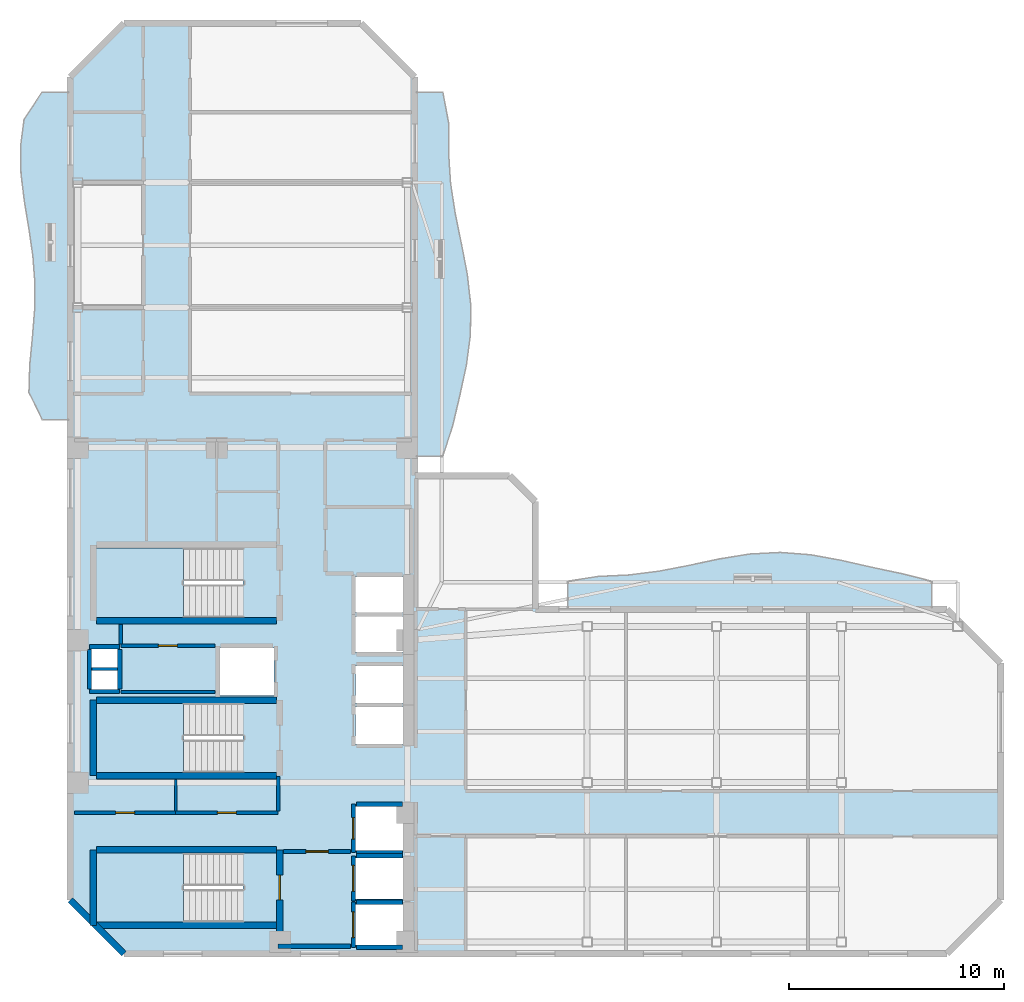
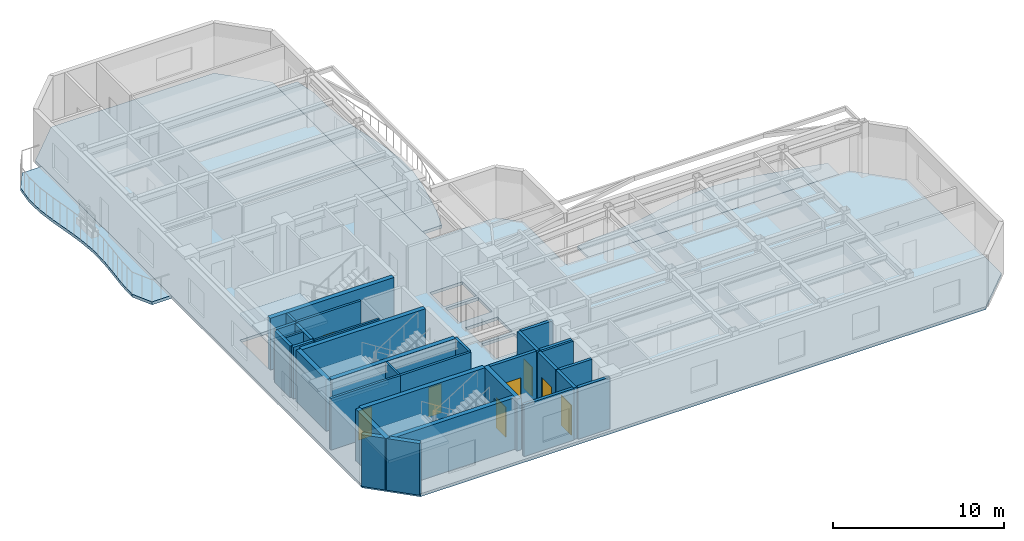
# One storey, part 2 of 9: 31 walls, 8 doors, 7 slabs, 8 openings, 3 elements without a shape of their own.
"""IFC4 building model written with IfcOpenShell, lengths in metres."""

import ifcopenshell
import ifcopenshell.guid

model = None  # the IFC model being written
_history = None  # IfcOwnerHistory: only IFC2X3 demands one
_inside = {}  # id of a spatial element -> (the spatial element, [elements in it])
_under = {}  # id of a project, library or spatial element -> (it, [spatial elements below it])
_declared = {}  # id of a project -> (the project, [libraries it declares])
_typed = {}  # id of a type object -> (the type object, [elements of that type])
_made_of = {}  # id of a material, layer set ... -> (it, [elements and type objects made of it])


def new_model(schema):
    """Start an empty IFC model of exactly this schema.

    Asked for "IFC4X3", IfcOpenShell would pick the latest addendum, in which some entities
    have other attributes; the version numbers below select the first issue.
    IFC2X3 requires an IfcOwnerHistory on every rooted entity: one is made here for all.
    """
    global model, _history
    if schema == "IFC4X3":
        model = ifcopenshell.file(schema_version=(4, 3, 0, 0))
    else:
        model = ifcopenshell.file(schema=schema)
    _inside.clear()
    _under.clear()
    _declared.clear()
    _typed.clear()
    _made_of.clear()
    _history = None
    if model.schema == "IFC2X3":
        org = make("IfcOrganization", Name="unknown")
        user = make(
            "IfcPersonAndOrganization",
            ThePerson=make("IfcPerson", FamilyName="unknown"),
            TheOrganization=org,
        )
        app = make(
            "IfcApplication",
            ApplicationDeveloper=org,
            Version="unknown",
            ApplicationFullName="unknown",
            ApplicationIdentifier="unknown",
        )
        _history = make(
            "IfcOwnerHistory",
            OwningUser=user,
            OwningApplication=app,
            ChangeAction="ADDED",
            CreationDate=0,
        )
    return model


def make(cls, **values):
    """One entity of the class cls with the attributes given. An attribute that is None is left unset."""
    return model.create_entity(
        cls, **{name: value for name, value in values.items() if value is not None}
    )


def rooted(cls, **values):
    """An entity with a GlobalId (a new one), such as an element, a storey or a relation."""
    return make(cls, GlobalId=ifcopenshell.guid.new(), OwnerHistory=_history, **values)


def si_unit(unit_type, name, prefix=None):
    """IfcSIUnit, for example si_unit("LENGTHUNIT", "METRE", prefix="MILLI")."""
    return make("IfcSIUnit", UnitType=unit_type, Prefix=prefix, Name=name)


def assignment(units):
    """IfcUnitAssignment: the units of a project."""
    return None if units is None else make("IfcUnitAssignment", Units=units)


def point(xyz):
    """IfcCartesianPoint."""
    return None if xyz is None else make("IfcCartesianPoint", Coordinates=xyz)


def direction(xyz):
    """IfcDirection."""
    return None if xyz is None else make("IfcDirection", DirectionRatios=xyz)


def frame(location, z_axis=None, x_axis=None):
    """IfcAxis2Placement3D, a coordinate frame: its origin and axes. An axis left out is left unset."""
    return make(
        "IfcAxis2Placement3D",
        Location=point(location),
        Axis=direction(z_axis),
        RefDirection=direction(x_axis),
    )


def frame_2d(location, x_axis=None):
    """IfcAxis2Placement2D, a coordinate frame in the plane: its origin and x axis."""
    return make(
        "IfcAxis2Placement2D", Location=point(location), RefDirection=direction(x_axis)
    )


def origin():
    """The frame at (0, 0, 0) with its axes left unset."""
    return frame((0.0, 0.0, 0.0))


def place(relative_to, where):
    """IfcLocalPlacement: puts the frame where relative to a parent placement (None: the world)."""
    return make(
        "IfcLocalPlacement", PlacementRelTo=relative_to, RelativePlacement=where
    )


def context(
    kind, dimensions, precision=None, world=None, true_north=None, identifier=None
):
    """IfcGeometricRepresentationContext, for example the 3D "Model" context."""
    return make(
        "IfcGeometricRepresentationContext",
        ContextIdentifier=identifier,
        ContextType=kind,
        CoordinateSpaceDimension=dimensions,
        Precision=precision,
        WorldCoordinateSystem=world,
        TrueNorth=true_north,
    )


def subcontext(parent, identifier, kind, view, scale=None):
    """IfcGeometricRepresentationSubContext, for example "Body" below "Model"."""
    return make(
        "IfcGeometricRepresentationSubContext",
        ContextIdentifier=identifier,
        ContextType=kind,
        ParentContext=parent,
        TargetScale=scale,
        TargetView=view,
    )


def project(units=None, contexts=None):
    """IfcProject with its units and contexts."""
    return rooted(
        "IfcProject",
        Name="project",
        RepresentationContexts=contexts,
        UnitsInContext=assignment(units),
    )


def spatial(cls, under=None, at=None, **own):
    """A site, building, storey or space (cls), placed at a placement, below another one or the project."""
    s = rooted(cls, ObjectPlacement=at, **own)
    if under is not None:
        _under.setdefault(under.id(), (under, []))[1].append(s)
    return s


def polyline(points):
    """IfcPolyline through the points."""
    return make("IfcPolyline", Points=[point(p) for p in points])


def profile(cls, at=None, kind="AREA", **sizes):
    """A parametric profile (cls). Its sizes go by their IFC names, for example OverallWidth=200.0."""
    return make(cls, ProfileType=kind, Position=at, **sizes)


def rectangle(**sizes):
    """IfcRectangleProfileDef."""
    return profile("IfcRectangleProfileDef", **sizes)


def outline(outer, holes=None, kind="AREA"):
    """IfcArbitraryClosedProfileDef: a profile drawn as a closed curve; with holes, ...WithVoids."""
    if holes is None:
        return make("IfcArbitraryClosedProfileDef", ProfileType=kind, OuterCurve=outer)
    return make(
        "IfcArbitraryProfileDefWithVoids",
        ProfileType=kind,
        OuterCurve=outer,
        InnerCurves=holes,
    )


def extrude(swept, where, along, depth):
    """IfcExtrudedAreaSolid: the profile swept, set in the frame where, extruded along a direction by depth."""
    return make(
        "IfcExtrudedAreaSolid",
        SweptArea=swept,
        Position=where,
        ExtrudedDirection=direction(along),
        Depth=depth,
    )


def shape(context_of_items, identifier, shape_type, items):
    """IfcShapeRepresentation: the items that make up one representation, for example the "Body"."""
    return make(
        "IfcShapeRepresentation",
        ContextOfItems=context_of_items,
        RepresentationIdentifier=identifier,
        RepresentationType=shape_type,
        Items=items,
    )


def material(Name=None, Category=None):
    """IfcMaterial."""
    return make("IfcMaterial", Name=Name, Category=Category)


def layer(
    of_material, thickness, ventilated=None, Name=None, Category=None, Priority=None
):
    """IfcMaterialLayer: one layer of a wall or slab, of a material (None: an air gap)."""
    return make(
        "IfcMaterialLayer",
        Material=of_material,
        LayerThickness=thickness,
        IsVentilated=ventilated,
        Name=Name,
        Category=Category,
        Priority=Priority,
    )


def layer_set(layers, Name=None):
    """IfcMaterialLayerSet."""
    return make("IfcMaterialLayerSet", MaterialLayers=layers, LayerSetName=Name)


def made_of(thing, what):
    """Note that an element or type object is made of a material, layer set ...; save() writes the relation."""
    if what is not None:
        _made_of.setdefault(what.id(), (what, []))[1].append(thing)
    return thing


def type_object(cls, material=None, **own):
    """A type object (cls), such as IfcWallType, which elements share."""
    return made_of(rooted(cls, **own), material)


def element(
    cls,
    number,
    at=None,
    inside=None,
    cuts=None,
    type_object=None,
    material=None,
    context=None,
    identifier="Body",
    shape_type=None,
    held_by="IfcProductDefinitionShape",
    body=None,
    shapes=None,
    **own,
):
    """One element of the class cls, such as IfcWall. Its Tag is "e" and its number.

    at: its placement. inside: the storey or other place that contains it. cuts: it is an
    opening in that element (IfcRelVoidsElement). A single representation is given by context,
    identifier, shape_type and body (its items); several are given by shapes. held_by: the class
    of the entity that holds the representations. save() writes the other relations.
    """
    e = rooted(cls, Tag="e%d" % number, ObjectPlacement=at, **own)
    if body is not None:
        shapes = [shape(context, identifier, shape_type, body)]
    if shapes is not None:
        e.Representation = make(held_by, Representations=shapes)
    if inside is not None:
        _inside.setdefault(inside.id(), (inside, []))[1].append(e)
    if cuts is not None:
        rooted(
            "IfcRelVoidsElement", RelatingBuildingElement=cuts, RelatedOpeningElement=e
        )
    if type_object is not None:
        _typed.setdefault(type_object.id(), (type_object, []))[1].append(e)
    return made_of(e, material)


def fill(opening, filler):
    """IfcRelFillsElement: the door or window that sits in an opening."""
    return rooted(
        "IfcRelFillsElement",
        RelatingOpeningElement=opening,
        RelatedBuildingElement=filler,
    )


def aggregate(whole, parts):
    """IfcRelAggregates: a whole, such as a stair, and the parts it consists of."""
    return rooted("IfcRelAggregates", RelatingObject=whole, RelatedObjects=parts)


def save(model, path):
    """Write the relations noted so far, then the file.

    IfcRelAggregates (storeys below a building ...), IfcRelContainedInSpatialStructure (elements
    in a storey), IfcRelDefinesByType, IfcRelAssociatesMaterial and IfcRelDeclares: one each for
    every whole, place, type object, material and project.
    """
    for whole, parts in _under.values():
        aggregate(whole, parts)
    for where, things in _inside.values():
        rooted(
            "IfcRelContainedInSpatialStructure",
            RelatedElements=things,
            RelatingStructure=where,
        )
    for kind, things in _typed.values():
        rooted("IfcRelDefinesByType", RelatedObjects=things, RelatingType=kind)
    for what, things in _made_of.values():
        rooted("IfcRelAssociatesMaterial", RelatedObjects=things, RelatingMaterial=what)
    for by, libraries in _declared.values():
        rooted("IfcRelDeclares", RelatingContext=by, RelatedDefinitions=libraries)
    model.write(path)


model = new_model("IFC4")

# Units and contexts
model_context = context("Model", 3, precision=1e-05, world=origin(), true_north=direction((0.0, 1.0)))
body_context = subcontext(model_context, "Body", "Model", "MODEL_VIEW")
ifc_project = project(units=[si_unit("LENGTHUNIT", "METRE"), si_unit("AREAUNIT", "SQUARE_METRE"), si_unit("VOLUMEUNIT", "CUBIC_METRE"), si_unit("PLANEANGLEUNIT", "RADIAN"), si_unit("MASSUNIT", "GRAM", prefix="KILO")], contexts=[model_context])

# Site, building, storey
site_placement = place(None, origin())
site = spatial("IfcSite", under=ifc_project, at=site_placement, CompositionType="ELEMENT")
building_placement = place(site_placement, origin())
building = spatial("IfcBuilding", under=site, at=building_placement, Name="Mawjaban Terraces University", CompositionType="ELEMENT")
storey_placement = place(building_placement, frame((0.0, 0.0, 222.60009765625)))
storey = spatial("IfcBuildingStorey", under=building, at=storey_placement, Name="L54", CompositionType="ELEMENT", Elevation=222.60009765625)

# Slabs
ifc_material_1 = material(Name="Concrete C40/50", Category="concrete")
ifc_layer_1 = layer(ifc_material_1, 0.2099609375)
ifc_layer_set_1 = layer_set([ifc_layer_1], Name="Concrete C40/50")
slab_type_1 = type_object("IfcSlabType", Name="BalconySlab_210_Ext", PredefinedType="FLOOR", material=ifc_layer_set_1)
slab_1_placement = place(storey_placement, frame((0.0, 0.0, -0.210205078125)))
element("IfcSlab", 1, at=slab_1_placement, inside=storey, type_object=slab_type_1, Name="L54 Planted Balcony Slab west", PredefinedType="FLOOR", context=body_context, shape_type="SweptSolid", body=[
    extrude(outline(polyline([(22.010009765625, 24.800048828125), (22.010009765625, 40.0), (20.699951171875, 40.0), (19.85888671875, 38.73291015625), (19.694091796875, 37.467041015625), (19.718017578125, 36.199951171875), (19.8720703125, 34.93310546875), (20.08203125, 33.6669921875), (20.26611328125, 32.39990234375), (20.362060546875, 31.133056640625), (20.346923828125, 29.866943359375), (20.243896484375, 28.60009765625), (20.12109375, 27.3330078125), (20.0849609375, 26.06689453125), (20.699951171875, 24.800048828125), (22.010009765625, 24.800048828125)])), origin(), (0.0, 0.0, 1.0), 0.210205078125),
])
slab_2_placement = place(storey_placement, frame((0.0, 0.0, -0.210205078125)))
element("IfcSlab", 2, at=slab_2_placement, inside=storey, type_object=slab_type_1, Name="L54 Planted Balcony Slab inner_north", PredefinedType="FLOOR", context=body_context, shape_type="SweptSolid", body=[
    extrude(outline(polyline([(45.10009765625, 15.989990234375), (62.0, 15.989990234375), (62.0, 17.300048828125), (60.592041015625, 17.65087890625), (59.18310546875, 17.948974609375), (57.77490234375, 18.27001953125), (56.366943359375, 18.52490234375), (54.9580078125, 18.633056640625), (53.550048828125, 18.55908203125), (52.14208984375, 18.3330078125), (50.73291015625, 18.032958984375), (49.324951171875, 17.760009765625), (47.9169921875, 17.5849609375), (46.508056640625, 17.51904296875), (45.10009765625, 17.300048828125), (45.10009765625, 15.989990234375)])), origin(), (0.0, 0.0, 1.0), 0.210205078125),
])
slab_3_placement = place(storey_placement, frame((0.0, 0.0, -0.210205078125)))
element("IfcSlab", 3, at=slab_3_placement, inside=storey, type_object=slab_type_1, Name="L54 Planted Balcony Slab inner_east", PredefinedType="FLOOR", context=body_context, shape_type="SweptSolid", body=[
    extrude(outline(polyline([(39.300048828125, 23.10009765625), (39.7529296875, 24.508056640625), (40.0869140625, 25.9169921875), (40.39111328125, 27.324951171875), (40.5791015625, 28.73291015625), (40.592041015625, 30.14208984375), (40.43310546875, 31.550048828125), (40.160888671875, 32.9580078125), (39.873046875, 34.366943359375), (39.657958984375, 35.77490234375), (39.56494140625, 37.18310546875), (39.56298828125, 38.592041015625), (39.300048828125, 40.0), (37.989990234375, 40.0), (37.989990234375, 23.10009765625), (39.300048828125, 23.10009765625)])), origin(), (0.0, 0.0, 1.0), 0.210205078125),
])
ifc_layer_2 = layer(ifc_material_1, 0.2099609375)
ifc_layer_set_2 = layer_set([ifc_layer_2], Name="Concrete C40/50")
slab_type_2 = type_object("IfcSlabType", Name="CompositeSlab_210", PredefinedType="FLOOR", material=ifc_layer_set_2)
slab_4_placement = place(storey_placement, frame((0.0, 0.0, -0.210205078125)))
element("IfcSlab", 4, at=slab_4_placement, inside=storey, type_object=slab_type_2, Name="L54 Primary Structural Slab", PredefinedType="FLOOR", context=body_context, shape_type="SweptSolid", body=[
    extrude(outline(polyline([(24.5, 0.0), (62.699951171875, 0.0), (65.199951171875, 2.5), (65.199951171875, 13.5), (62.699951171875, 16.0), (43.60009765625, 16.0), (43.60009765625, 21.0), (42.39990234375, 22.199951171875), (38.0, 22.199951171875), (38.0, 40.699951171875), (35.5, 43.199951171875), (24.5, 43.199951171875), (22.0, 40.699951171875), (22.0, 2.5), (24.5, 0.0)]), holes=[polyline([(30.014892578125, 4.699951171875), (23.199951171875, 4.699951171875), (23.199951171875, 1.449951171875), (30.014892578125, 1.449951171875), (30.014892578125, 4.699951171875)]), polyline([(30.014892578125, 18.85009765625), (23.199951171875, 18.85009765625), (23.199951171875, 15.60009765625), (30.014892578125, 15.60009765625), (30.014892578125, 18.85009765625)]), polyline([(30.014892578125, 11.64990234375), (23.199951171875, 11.64990234375), (23.199951171875, 8.39990234375), (30.014892578125, 8.39990234375), (30.014892578125, 11.64990234375)]), polyline([(35.25, 0.39990234375), (37.449951171875, 0.39990234375), (37.449951171875, 2.300048828125), (35.25, 2.300048828125), (35.25, 0.39990234375)]), polyline([(35.25, 2.550048828125), (37.449951171875, 2.550048828125), (37.449951171875, 4.449951171875), (35.25, 4.449951171875), (35.25, 2.550048828125)]), polyline([(35.25, 4.800048828125), (37.449951171875, 4.800048828125), (37.449951171875, 6.85009765625), (35.25, 6.85009765625), (35.25, 4.800048828125)]), polyline([(35.25, 9.75), (37.449951171875, 9.75), (37.449951171875, 11.449951171875), (35.25, 11.449951171875), (35.25, 9.75)]), polyline([(35.25, 11.64990234375), (37.449951171875, 11.64990234375), (37.449951171875, 13.35009765625), (35.25, 13.35009765625), (35.25, 11.64990234375)]), polyline([(28.949951171875, 12.0), (31.449951171875, 12.0), (31.449951171875, 14.199951171875), (28.949951171875, 14.199951171875), (28.949951171875, 12.0)]), polyline([(35.25, 14.0), (37.449951171875, 14.0), (37.449951171875, 15.64990234375), (35.25, 15.64990234375), (35.25, 14.0)]), polyline([(35.25, 15.85009765625), (37.449951171875, 15.85009765625), (37.449951171875, 17.5), (35.25, 17.5), (35.25, 15.85009765625)]), polyline([(23.0, 12.25), (24.199951171875, 12.25), (24.199951171875, 13.14990234375), (23.0, 13.14990234375), (23.0, 12.25)]), polyline([(23.0, 13.300048828125), (24.199951171875, 13.300048828125), (24.199951171875, 14.179931640625), (23.0, 14.179931640625), (23.0, 13.300048828125)])]), origin(), (0.0, 0.0, 1.0), 0.210205078125),
])

# Stair, slab
stair_type = type_object("IfcStairType", Name="Stair_Core1550_H39", PredefinedType="HALF_TURN_STAIR", material=ifc_material_1)
stair_1_placement = place(storey_placement, origin())
stair_1 = element("IfcStair", 5, at=stair_1_placement, inside=storey, type_object=stair_type, Name="L54 Core Exit Stair 1", PredefinedType="HALF_TURN_STAIR")
ifc_layer_3 = layer(ifc_material_1, 0.199951171875)
ifc_layer_set_3 = layer_set([ifc_layer_3], Name="Concrete C40/50")
slab_type_3 = type_object("IfcSlabType", Name="StairLandingSlab_200", PredefinedType="LANDING", material=ifc_layer_set_3)
slab_5_placement = place(storey_placement, frame((0.0, 0.0, 1.75)))
slab_5 = element("IfcSlab", 6, at=slab_5_placement, type_object=slab_type_3, Name="ST-1 landing 1", PredefinedType="LANDING", context=body_context, shape_type="SweptSolid", body=[
    extrude(outline(polyline([(27.25, 4.699951171875), (23.199951171875, 4.699951171875), (23.199951171875, 1.449951171875), (27.25, 1.449951171875), (27.25, 4.699951171875)])), origin(), (0.0, 0.0, 1.0), 0.199951171875),
])
aggregate(stair_1, [slab_5])

stair_2_placement = place(storey_placement, origin())
stair_2 = element("IfcStair", 7, at=stair_2_placement, inside=storey, type_object=stair_type, Name="L54 Core Exit Stair 2", PredefinedType="HALF_TURN_STAIR")
slab_6_placement = place(storey_placement, frame((0.0, 0.0, 1.75)))
slab_6 = element("IfcSlab", 8, at=slab_6_placement, type_object=slab_type_3, Name="ST-2 landing 1", PredefinedType="LANDING", context=body_context, shape_type="SweptSolid", body=[
    extrude(outline(polyline([(27.25, 18.85009765625), (23.199951171875, 18.85009765625), (23.199951171875, 15.60009765625), (27.25, 15.60009765625), (27.25, 18.85009765625)])), origin(), (0.0, 0.0, 1.0), 0.199951171875),
])
aggregate(stair_2, [slab_6])

stair_3_placement = place(storey_placement, origin())
stair_3 = element("IfcStair", 9, at=stair_3_placement, inside=storey, type_object=stair_type, Name="L54 Core Exit Stair 3", PredefinedType="HALF_TURN_STAIR")
slab_7_placement = place(storey_placement, frame((0.0, 0.0, 1.75)))
slab_7 = element("IfcSlab", 10, at=slab_7_placement, type_object=slab_type_3, Name="ST-3 landing 1", PredefinedType="LANDING", context=body_context, shape_type="SweptSolid", body=[
    extrude(outline(polyline([(27.25, 11.64990234375), (23.199951171875, 11.64990234375), (23.199951171875, 8.39990234375), (27.25, 8.39990234375), (27.25, 11.64990234375)])), origin(), (0.0, 0.0, 1.0), 0.199951171875),
])
aggregate(stair_3, [slab_7])

# Wall, opening, door
ifc_material_2 = material(Name="Fire-rated gypsum board on steel stud", Category="steel")
ifc_layer_4 = layer(ifc_material_2, 0.159912109375)
ifc_layer_set_4 = layer_set([ifc_layer_4], Name="Fire-rated gypsum board on steel stud")
wall_type_1 = type_object("IfcWallType", Name="CorridorPartition_160", PredefinedType="PARTITIONING", material=ifc_layer_set_4)
wall_1_placement = place(storey_placement, frame((24.35009765625, 14.300048828125, 0.0), z_axis=(0.0, 0.0, 1.0), x_axis=(1.0, 0.0, 0.0)))
wall_1 = element("IfcWall", 11, at=wall_1_placement, inside=storey, type_object=wall_type_1, Name="L54 Core Riser Access Passage Partition 2", PredefinedType="PARTITIONING", context=body_context, shape_type="SweptSolid", body=[
    extrude(rectangle(XDim=4.369873046875, YDim=0.159912109375, at=frame_2d((2.18505859375, 0.0))), origin(), (0.0, 0.0, 1.0), 3.68994140625),
])
opening_1_placement = place(wall_1_placement, frame((1.7451171875, 0.0, 0.0)))
opening_1 = element("IfcOpeningElement", 12, at=opening_1_placement, cuts=wall_1, Name="Opening ID-088", PredefinedType="OPENING", context=body_context, shape_type="SweptSolid", body=[
    extrude(rectangle(XDim=0.8798828125, YDim=2.10009765625, at=frame_2d((0.43994140625, 1.050048828125))), frame((0.0, 0.08984375, 0.0), z_axis=(0.0, -1.0, 0.0), x_axis=(1.0, 0.0, 0.0)), (0.0, 0.0, 1.0), 0.179931640625),
])
ifc_material_3 = material(Name="Powder-coated steel frame and solid acoustic timber leaf", Category="steel")
door_type_1 = type_object("IfcDoorType", Name="ToiletDoor_880x2100", OperationType="NOTDEFINED", PredefinedType="DOOR", material=ifc_material_3)
door_1_placement = place(opening_1_placement, origin())
door_1 = element("IfcDoor", 13, at=door_1_placement, inside=storey, type_object=door_type_1, Name="L54 Ablution Room Door", OperationType="SINGLE_SWING_LEFT", OverallHeight=2.10009765625, OverallWidth=0.8798828125, PredefinedType="DOOR", context=body_context, shape_type="SweptSolid", body=[
    extrude(rectangle(XDim=0.8798828125, YDim=2.10009765625, at=frame_2d((0.43994140625, 1.050048828125))), frame((0.0, 0.02490234375, 0.0), z_axis=(0.0, -1.0, 0.0), x_axis=(1.0, 0.0, 0.0)), (0.0, 0.0, 1.0), 0.050048828125),
])
fill(opening_1, door_1)

wall_2_placement = place(storey_placement, frame((26.89990234375, 6.550048828125, 0.0), z_axis=(0.0, 0.0, 1.0), x_axis=(-1.0, 0.0, 0.0)))
wall_2 = element("IfcWall", 14, at=wall_2_placement, inside=storey, type_object=wall_type_1, Name="L54 Core Washroom Lobby Partition 8", PredefinedType="PARTITIONING", context=body_context, shape_type="SweptSolid", body=[
    extrude(rectangle(XDim=4.699951171875, YDim=0.159912109375, at=frame_2d((2.35009765625, 0.0))), origin(), (0.0, 0.0, 1.0), 3.68994140625),
])
opening_2_placement = place(wall_2_placement, frame((1.909912109375, 0.0, 0.0)))
opening_2 = element("IfcOpeningElement", 15, at=opening_2_placement, cuts=wall_2, Name="Opening ID-088", PredefinedType="OPENING", context=body_context, shape_type="SweptSolid", body=[
    extrude(rectangle(XDim=0.8798828125, YDim=2.10009765625, at=frame_2d((0.43994140625, 1.050048828125))), frame((0.0, 0.08984375, 0.0), z_axis=(0.0, -1.0, 0.0), x_axis=(1.0, 0.0, 0.0)), (0.0, 0.0, 1.0), 0.179931640625),
])
door_2_placement = place(opening_2_placement, origin())
door_2 = element("IfcDoor", 16, at=door_2_placement, inside=storey, type_object=door_type_1, Name="L54 Male Toilet Door", OperationType="SINGLE_SWING_LEFT", OverallHeight=2.10009765625, OverallWidth=0.8798828125, PredefinedType="DOOR", context=body_context, shape_type="SweptSolid", body=[
    extrude(rectangle(XDim=0.8798828125, YDim=2.10009765625, at=frame_2d((0.43994140625, 1.050048828125))), frame((0.0, 0.02490234375, 0.0), z_axis=(0.0, -1.0, 0.0), x_axis=(1.0, 0.0, 0.0)), (0.0, 0.0, 1.0), 0.050048828125),
])
fill(opening_2, door_2)

wall_3_placement = place(storey_placement, frame((31.64990234375, 6.550048828125, 0.0), z_axis=(0.0, 0.0, 1.0), x_axis=(-1.0, 0.0, 0.0)))
wall_3 = element("IfcWall", 17, at=wall_3_placement, inside=storey, type_object=wall_type_1, Name="L54 Core Washroom Lobby Partition 11", PredefinedType="PARTITIONING", context=body_context, shape_type="SweptSolid", body=[
    extrude(rectangle(XDim=4.75, YDim=0.159912109375, at=frame_2d((2.375, 0.0))), origin(), (0.0, 0.0, 1.0), 3.68994140625),
])
opening_3_placement = place(wall_3_placement, frame((1.93505859375, 0.0, 0.0)))
opening_3 = element("IfcOpeningElement", 18, at=opening_3_placement, cuts=wall_3, Name="Opening ID-088", PredefinedType="OPENING", context=body_context, shape_type="SweptSolid", body=[
    extrude(rectangle(XDim=0.8798828125, YDim=2.10009765625, at=frame_2d((0.43994140625, 1.050048828125))), frame((0.0, 0.08984375, 0.0), z_axis=(0.0, -1.0, 0.0), x_axis=(1.0, 0.0, 0.0)), (0.0, 0.0, 1.0), 0.179931640625),
])
door_3_placement = place(opening_3_placement, origin())
door_3 = element("IfcDoor", 19, at=door_3_placement, inside=storey, type_object=door_type_1, Name="L54 Accessible Toilet Door", OperationType="SINGLE_SWING_RIGHT", OverallHeight=2.10009765625, OverallWidth=0.8798828125, PredefinedType="DOOR", context=body_context, shape_type="SweptSolid", body=[
    extrude(rectangle(XDim=0.8798828125, YDim=2.10009765625, at=frame_2d((0.43994140625, 1.050048828125))), frame((0.0, 0.02490234375, 0.0), z_axis=(0.0, -1.0, 0.0), x_axis=(1.0, 0.0, 0.0)), (0.0, 0.0, 1.0), 0.050048828125),
])
fill(opening_3, door_3)

# Walls
wall_4_placement = place(storey_placement, frame((24.35009765625, 15.2900390625, 0.0), z_axis=(0.0, 0.0, 1.0), x_axis=(0.0, -1.0, 0.0)))
element("IfcWall", 20, at=wall_4_placement, inside=storey, type_object=wall_type_1, Name="L54 Core Riser Access Passage Partition 31", PredefinedType="PARTITIONING", context=body_context, shape_type="SweptSolid", body=[
    extrude(rectangle(XDim=0.9150390625, YDim=0.159912109375, at=frame_2d((0.45751953125, 0.0))), origin(), (0.0, 0.0, 1.0), 3.68994140625),
])
wall_5_placement = place(storey_placement, frame((31.64990234375, 8.239990234375, 0.0), z_axis=(0.0, 0.0, 1.0), x_axis=(0.0, -1.0, 0.0)))
element("IfcWall", 21, at=wall_5_placement, inside=storey, type_object=wall_type_1, Name="L54 High-Rise Lift Lobby Partition 44", PredefinedType="PARTITIONING", context=body_context, shape_type="SweptSolid", body=[
    extrude(rectangle(XDim=1.614990234375, YDim=0.159912109375, at=frame_2d((0.8076171875, 0.0))), origin(), (0.0, 0.0, 1.0), 3.68994140625),
])
ifc_material_4 = material(Name="Insulated terracotta rainscreen on concrete backup C40/50", Category="masonry")
ifc_layer_5 = layer(ifc_material_4, 0.300048828125)
ifc_layer_set_5 = layer_set([ifc_layer_5], Name="Insulated terracotta rainscreen on concrete backup C40/50")
wall_type_2 = type_object("IfcWallType", Name="ExtTerracottaWall_300", PredefinedType="SOLIDWALL", material=ifc_layer_set_5)
wall_6_placement = place(storey_placement, frame((22.0, 2.5, 0.0), z_axis=(0.0, 0.0, 1.0), x_axis=(0.707106781187, -0.707106781187, 0.0)))
element("IfcWall", 22, at=wall_6_placement, inside=storey, type_object=wall_type_2, Name="L54 Exterior Terracotta Wall 14", PredefinedType="SOLIDWALL", context=body_context, shape_type="SweptSolid", body=[
    extrude(rectangle(XDim=3.53564453125, YDim=0.300048828125, at=frame_2d((1.767822265625, 0.0))), origin(), (0.0, 0.0, 1.0), 3.68994140625),
])

# Wall, opening, door
ifc_layer_6 = layer(ifc_material_1, 0.199951171875)
ifc_layer_set_6 = layer_set([ifc_layer_6], Name="Concrete C40/50")
wall_type_3 = type_object("IfcWallType", Name="FireLobbyWall_200", PredefinedType="SOLIDWALL", material=ifc_layer_set_6)
wall_7_placement = place(storey_placement, frame((35.14990234375, 2.39990234375, 0.0), z_axis=(0.0, 0.0, 1.0), x_axis=(0.0, -1.0, 0.0)))
wall_7 = element("IfcWall", 23, at=wall_7_placement, inside=storey, type_object=wall_type_3, Name="L54 Lift FL-1 Hoistway Wall West", PredefinedType="SOLIDWALL", context=body_context, shape_type="SweptSolid", body=[
    extrude(rectangle(XDim=2.099853515625, YDim=0.199951171875, at=frame_2d((1.0498046875, 0.0))), origin(), (0.0, 0.0, 1.0), 3.68994140625),
])
opening_4_placement = place(wall_7_placement, frame((0.449951171875, 0.0, 0.0)))
opening_4 = element("IfcOpeningElement", 24, at=opening_4_placement, cuts=wall_7, Name="Opening LD-FL-1", PredefinedType="OPENING", context=body_context, shape_type="SweptSolid", body=[
    extrude(rectangle(XDim=1.199951171875, YDim=2.14990234375, at=frame_2d((0.60009765625, 1.074951171875))), frame((0.0, 0.10986328125, 0.0), z_axis=(0.0, -1.0, 0.0), x_axis=(1.0, 0.0, 0.0)), (0.0, 0.0, 1.0), 0.219970703125),
])
ifc_material_5 = material(Name="Powder-coated steel frame and fire-rated steel-faced leaf", Category="steel")
door_type_2 = type_object("IfcDoorType", Name="LiftLandingFSAE_1200x2150", OperationType="NOTDEFINED", PredefinedType="DOOR", material=ifc_material_5)
door_4_placement = place(opening_4_placement, origin())
door_4 = element("IfcDoor", 25, at=door_4_placement, inside=storey, type_object=door_type_2, Name="L54 Lift FL-1 Sliding Landing Door", OperationType="DOUBLE_DOOR_SLIDING", OverallHeight=2.14990234375, OverallWidth=1.199951171875, PredefinedType="DOOR", context=body_context, shape_type="SweptSolid", body=[
    extrude(rectangle(XDim=1.199951171875, YDim=2.14990234375, at=frame_2d((0.60009765625, 1.074951171875))), frame((0.0, 0.02490234375, 0.0), z_axis=(0.0, -1.0, 0.0), x_axis=(1.0, 0.0, 0.0)), (0.0, 0.0, 1.0), 0.050048828125),
])
fill(opening_4, door_4)

# Walls
for number, where, z_axis, x_axis, name in (
    (26, (35.280029296875, 0.300048828125, 0.0), (0.0, 0.0, 1.0), (1.0, 0.0, 0.0), "L54 Lift FL-1 Hoistway Wall South"),
    (27, (37.419921875, 2.39990234375, 0.0), (0.0, 0.0, 1.0), (-1.0, 0.0, 0.0), "L54 Lift FL-1 Hoistway Wall North"),
):
    element("IfcWall", number, at=place(storey_placement, frame(where, z_axis=z_axis, x_axis=x_axis)), inside=storey, type_object=wall_type_3, Name=name, PredefinedType="SOLIDWALL", context=body_context, shape_type="SweptSolid", body=[
        extrude(rectangle(XDim=2.139892578125, YDim=0.199951171875, at=frame_2d((1.06982421875, 0.0))), origin(), (0.0, 0.0, 1.0), 3.68994140625),
    ])

# Wall, opening, door
wall_8_placement = place(storey_placement, frame((35.14990234375, 4.550048828125, 0.0), z_axis=(0.0, 0.0, 1.0), x_axis=(0.0, -1.0, 0.0)))
wall_8 = element("IfcWall", 28, at=wall_8_placement, inside=storey, type_object=wall_type_3, Name="L54 Lift FL-2 Hoistway Wall West", PredefinedType="SOLIDWALL", context=body_context, shape_type="SweptSolid", body=[
    extrude(rectangle(XDim=2.10009765625, YDim=0.199951171875, at=frame_2d((1.050048828125, 0.0))), origin(), (0.0, 0.0, 1.0), 3.68994140625),
])
opening_5_placement = place(wall_8_placement, frame((0.449951171875, 0.0, 0.0)))
opening_5 = element("IfcOpeningElement", 29, at=opening_5_placement, cuts=wall_8, Name="Opening LD-FL-2", PredefinedType="OPENING", context=body_context, shape_type="SweptSolid", body=[
    extrude(rectangle(XDim=1.199951171875, YDim=2.14990234375, at=frame_2d((0.60009765625, 1.074951171875))), frame((0.0, 0.10986328125, 0.0), z_axis=(0.0, -1.0, 0.0), x_axis=(1.0, 0.0, 0.0)), (0.0, 0.0, 1.0), 0.219970703125),
])
door_5_placement = place(opening_5_placement, origin())
door_5 = element("IfcDoor", 30, at=door_5_placement, inside=storey, type_object=door_type_2, Name="L54 Lift FL-2 Sliding Landing Door", OperationType="DOUBLE_DOOR_SLIDING", OverallHeight=2.14990234375, OverallWidth=1.199951171875, PredefinedType="DOOR", context=body_context, shape_type="SweptSolid", body=[
    extrude(rectangle(XDim=1.199951171875, YDim=2.14990234375, at=frame_2d((0.60009765625, 1.074951171875))), frame((0.0, 0.02490234375, 0.0), z_axis=(0.0, -1.0, 0.0), x_axis=(1.0, 0.0, 0.0)), (0.0, 0.0, 1.0), 0.050048828125),
])
fill(opening_5, door_5)

# Wall
wall_9_placement = place(storey_placement, frame((37.419921875, 4.550048828125, 0.0), z_axis=(0.0, 0.0, 1.0), x_axis=(-1.0, 0.0, 0.0)))
element("IfcWall", 31, at=wall_9_placement, inside=storey, type_object=wall_type_3, Name="L54 Lift FL-2 Hoistway Wall North", PredefinedType="SOLIDWALL", context=body_context, shape_type="SweptSolid", body=[
    extrude(rectangle(XDim=2.139892578125, YDim=0.199951171875, at=frame_2d((1.06982421875, 0.0))), origin(), (0.0, 0.0, 1.0), 3.68994140625),
])

# Wall, opening, door
wall_10_placement = place(storey_placement, frame((35.14990234375, 6.949951171875, 0.0), z_axis=(0.0, 0.0, 1.0), x_axis=(0.0, -1.0, 0.0)))
wall_10 = element("IfcWall", 32, at=wall_10_placement, inside=storey, type_object=wall_type_3, Name="L54 Lift SL-1 Hoistway Wall West", PredefinedType="SOLIDWALL", context=body_context, shape_type="SweptSolid", body=[
    extrude(rectangle(XDim=2.25, YDim=0.199951171875, at=frame_2d((1.125, 0.0))), origin(), (0.0, 0.0, 1.0), 3.68994140625),
])
opening_6_placement = place(wall_10_placement, frame((0.625, 0.0, 0.0)))
opening_6 = element("IfcOpeningElement", 33, at=opening_6_placement, cuts=wall_10, Name="Opening LD-SL-1", PredefinedType="OPENING", context=body_context, shape_type="SweptSolid", body=[
    extrude(rectangle(XDim=1.0, YDim=2.10009765625, at=frame_2d((0.5, 1.050048828125))), frame((0.0, 0.10986328125, 0.0), z_axis=(0.0, -1.0, 0.0), x_axis=(1.0, 0.0, 0.0)), (0.0, 0.0, 1.0), 0.219970703125),
])
door_type_3 = type_object("IfcDoorType", Name="LiftLandingSliding_1000x2100", OperationType="NOTDEFINED", PredefinedType="DOOR", material=ifc_material_5)
door_6_placement = place(opening_6_placement, origin())
door_6 = element("IfcDoor", 34, at=door_6_placement, inside=storey, type_object=door_type_3, Name="L54 Lift SL-1 Sliding Landing Door", OperationType="DOUBLE_DOOR_SLIDING", OverallHeight=2.10009765625, OverallWidth=1.0, PredefinedType="DOOR", context=body_context, shape_type="SweptSolid", body=[
    extrude(rectangle(XDim=1.0, YDim=2.10009765625, at=frame_2d((0.5, 1.050048828125))), frame((0.0, 0.02490234375, 0.0), z_axis=(0.0, -1.0, 0.0), x_axis=(1.0, 0.0, 0.0)), (0.0, 0.0, 1.0), 0.050048828125),
])
fill(opening_6, door_6)

# Walls
for number, where, z_axis, x_axis, name in (
    (35, (35.280029296875, 4.699951171875, 0.0), (0.0, 0.0, 1.0), (1.0, 0.0, 0.0), "L54 Lift SL-1 Hoistway Wall South"),
    (36, (37.419921875, 6.949951171875, 0.0), (0.0, 0.0, 1.0), (-1.0, 0.0, 0.0), "L54 Lift SL-1 Hoistway Wall North"),
):
    element("IfcWall", number, at=place(storey_placement, frame(where, z_axis=z_axis, x_axis=x_axis)), inside=storey, type_object=wall_type_3, Name=name, PredefinedType="SOLIDWALL", context=body_context, shape_type="SweptSolid", body=[
        extrude(rectangle(XDim=2.139892578125, YDim=0.199951171875, at=frame_2d((1.06982421875, 0.0))), origin(), (0.0, 0.0, 1.0), 3.68994140625),
    ])
for number, where, z_axis, x_axis, name in (
    (37, (22.89990234375, 14.25, 0.0), (0.0, 0.0, 1.0), (1.0, 0.0, 0.0), "L54 MEP Riser Shaft Wall N"),
    (38, (22.89990234375, 12.179931640625, 0.0), (0.0, 0.0, 1.0), (1.0, 0.0, 0.0), "L54 MEP Riser Shaft Wall S"),
):
    element("IfcWall", number, at=place(storey_placement, frame(where, z_axis=z_axis, x_axis=x_axis)), inside=storey, type_object=wall_type_3, Name=name, PredefinedType="SOLIDWALL", context=body_context, shape_type="SweptSolid", body=[
        extrude(rectangle(XDim=1.400146484375, YDim=0.199951171875, at=frame_2d((0.7001953125, 0.0))), origin(), (0.0, 0.0, 1.0), 3.68994140625),
    ])
for number, where, z_axis, x_axis, name in (
    (39, (24.300048828125, 12.300048828125, 0.0), (0.0, 0.0, 1.0), (0.0, 1.0, 0.0), "L54 MEP Riser Shaft Wall E"),
    (40, (22.89990234375, 12.300048828125, 0.0), (0.0, 0.0, 1.0), (0.0, 1.0, 0.0), "L54 MEP Riser Shaft Wall W"),
):
    element("IfcWall", number, at=place(storey_placement, frame(where, z_axis=z_axis, x_axis=x_axis)), inside=storey, type_object=wall_type_3, Name=name, PredefinedType="SOLIDWALL", context=body_context, shape_type="SweptSolid", body=[
        extrude(rectangle(XDim=1.829833984375, YDim=0.199951171875, at=frame_2d((0.9150390625, 0.0))), origin(), (0.0, 0.0, 1.0), 3.68994140625),
    ])
wall_11_placement = place(storey_placement, frame((31.64990234375, 0.35009765625, 0.0), z_axis=(0.0, 0.0, 1.0), x_axis=(1.0, 0.0, 0.0)))
element("IfcWall", 41, at=wall_11_placement, inside=storey, type_object=wall_type_3, Name="L54 Firefighting Lift Lobby Partition 10", PredefinedType="SOLIDWALL", context=body_context, shape_type="SweptSolid", body=[
    extrude(rectangle(XDim=3.3701171875, YDim=0.199951171875, at=frame_2d((1.68505859375, 0.0))), origin(), (0.0, 0.0, 1.0), 3.68994140625),
])

# Wall, opening, door
wall_12_placement = place(storey_placement, frame((35.02001953125, 4.75, 0.0), z_axis=(0.0, 0.0, 1.0), x_axis=(-1.0, 0.0, 0.0)))
wall_12 = element("IfcWall", 42, at=wall_12_placement, inside=storey, type_object=wall_type_3, Name="L54 Firefighting Lift Lobby Partition 15", PredefinedType="SOLIDWALL", context=body_context, shape_type="SweptSolid", body=[
    extrude(rectangle(XDim=3.110107421875, YDim=0.199951171875, at=frame_2d((1.55517578125, 0.0))), origin(), (0.0, 0.0, 1.0), 3.68994140625),
])
opening_7_placement = place(wall_12_placement, frame((1.030029296875, 0.0, 0.0)))
opening_7 = element("IfcOpeningElement", 43, at=opening_7_placement, cuts=wall_12, Name="Opening FD-105", PredefinedType="OPENING", context=body_context, shape_type="SweptSolid", body=[
    extrude(rectangle(XDim=1.050048828125, YDim=2.14990234375, at=frame_2d((0.52490234375, 1.074951171875))), frame((0.0, 0.10986328125, 0.0), z_axis=(0.0, -1.0, 0.0), x_axis=(1.0, 0.0, 0.0)), (0.0, 0.0, 1.0), 0.219970703125),
])
door_type_4 = type_object("IfcDoorType", Name="FireLobbyDoor_1050x2150", OperationType="NOTDEFINED", PredefinedType="DOOR", material=ifc_material_5)
door_7_placement = place(opening_7_placement, origin())
door_7 = element("IfcDoor", 44, at=door_7_placement, inside=storey, type_object=door_type_4, Name="L54 Firefighting Lift Lobby Door", OperationType="SINGLE_SWING_RIGHT", OverallHeight=2.14990234375, OverallWidth=1.050048828125, PredefinedType="DOOR", context=body_context, shape_type="SweptSolid", body=[
    extrude(rectangle(XDim=1.050048828125, YDim=2.14990234375, at=frame_2d((0.52490234375, 1.074951171875))), frame((0.0, 0.02490234375, 0.0), z_axis=(0.0, -1.0, 0.0), x_axis=(1.0, 0.0, 0.0)), (0.0, 0.0, 1.0), 0.050048828125),
])
fill(opening_7, door_7)

# Walls
ifc_material_6 = material(Name="Moisture-resistant gypsum board on steel stud", Category="steel")
ifc_layer_7 = layer(ifc_material_6, 0.14501953125)
ifc_layer_set_7 = layer_set([ifc_layer_7], Name="Moisture-resistant gypsum board on steel stud")
wall_type_4 = type_object("IfcWallType", Name="LabPartition_145", PredefinedType="PARTITIONING", material=ifc_layer_set_7)
wall_13_placement = place(storey_placement, frame((23.010009765625, 13.22509765625, 0.0), z_axis=(0.0, 0.0, 1.0), x_axis=(1.0, 0.0, 0.0)))
element("IfcWall", 45, at=wall_13_placement, inside=storey, type_object=wall_type_4, Name="L54 MEP Riser Shaft Wall M", PredefinedType="PARTITIONING", context=body_context, shape_type="SweptSolid", body=[
    extrude(rectangle(XDim=1.179931640625, YDim=0.14501953125, at=frame_2d((0.58984375, 0.0))), origin(), (0.0, 0.0, 1.0), 3.68994140625),
])
ifc_material_7 = material(Name="Concrete C60/75", Category="concrete")
ifc_layer_8 = layer(ifc_material_7, 0.300048828125)
ifc_layer_set_8 = layer_set([ifc_layer_8], Name="Concrete C60/75")
wall_type_5 = type_object("IfcWallType", Name="StairShaftWall_300", PredefinedType="SHEAR", material=ifc_layer_set_8)
wall_14_placement = place(storey_placement, frame((31.580078125, 4.830078125, 0.0), z_axis=(0.0, 0.0, 1.0), x_axis=(-1.0, 0.0, 0.0)))
element("IfcWall", 46, at=wall_14_placement, inside=storey, type_object=wall_type_5, Name="L54 ST-1 Stair Shaft Wall 1", PredefinedType="SHEAR", context=body_context, shape_type="SweptSolid", body=[
    extrude(rectangle(XDim=8.360107421875, YDim=0.300048828125, at=frame_2d((4.18017578125, 0.0))), origin(), (0.0, 0.0, 1.0), 3.68994140625),
])
wall_15_placement = place(storey_placement, frame((23.070068359375, 4.830078125, 0.0), z_axis=(0.0, 0.0, 1.0), x_axis=(0.0, -1.0, 0.0)))
element("IfcWall", 47, at=wall_15_placement, inside=storey, type_object=wall_type_5, Name="L54 ST-1 Stair Shaft Wall 2", PredefinedType="SHEAR", context=body_context, shape_type="SweptSolid", body=[
    extrude(rectangle(XDim=3.510009765625, YDim=0.300048828125, at=frame_2d((1.7548828125, 0.0))), origin(), (0.0, 0.0, 1.0), 3.68994140625),
])
wall_16_placement = place(storey_placement, frame((23.219970703125, 1.320068359375, 0.0), z_axis=(0.0, 0.0, 1.0), x_axis=(1.0, 0.0, 0.0)))
element("IfcWall", 48, at=wall_16_placement, inside=storey, type_object=wall_type_5, Name="L54 ST-1 Stair Shaft Wall 3", PredefinedType="SHEAR", context=body_context, shape_type="SweptSolid", body=[
    extrude(rectangle(XDim=8.360107421875, YDim=0.300048828125, at=frame_2d((4.18017578125, 0.0))), origin(), (0.0, 0.0, 1.0), 3.68994140625),
])

# Wall, opening, door
wall_17_placement = place(storey_placement, frame((31.72998046875, 0.9599609375, 0.0), z_axis=(0.0, 0.0, 1.0), x_axis=(0.0, 1.0, 0.0)))
wall_17 = element("IfcWall", 49, at=wall_17_placement, inside=storey, type_object=wall_type_5, Name="L54 ST-1 Stair Shaft Wall 4", PredefinedType="SHEAR", context=body_context, shape_type="SweptSolid", body=[
    extrude(rectangle(XDim=3.8701171875, YDim=0.300048828125, at=frame_2d((1.93505859375, 0.0))), origin(), (0.0, 0.0, 1.0), 3.68994140625),
])
opening_8_placement = place(wall_17_placement, frame((1.5400390625, 0.0, 0.0)))
opening_8 = element("IfcOpeningElement", 50, at=opening_8_placement, cuts=wall_17, Name="Opening FD-115", PredefinedType="OPENING", context=body_context, shape_type="SweptSolid", body=[
    extrude(rectangle(XDim=1.14990234375, YDim=2.14990234375, at=frame_2d((0.574951171875, 1.074951171875))), frame((0.0, 0.159912109375, 0.0), z_axis=(0.0, -1.0, 0.0), x_axis=(1.0, 0.0, 0.0)), (0.0, 0.0, 1.0), 0.320068359375),
])
door_type_5 = type_object("IfcDoorType", Name="FireStairDoor_1150x2150", OperationType="NOTDEFINED", PredefinedType="DOOR", material=ifc_material_5)
door_8_placement = place(opening_8_placement, origin())
door_8 = element("IfcDoor", 51, at=door_8_placement, inside=storey, type_object=door_type_5, Name="L54 ST-1 Pressurised Stair Fire Door", OperationType="SINGLE_SWING_LEFT", OverallHeight=2.14990234375, OverallWidth=1.14990234375, PredefinedType="DOOR", context=body_context, shape_type="SweptSolid", body=[
    extrude(rectangle(XDim=1.14990234375, YDim=2.14990234375, at=frame_2d((0.574951171875, 1.074951171875))), frame((0.0, 0.02490234375, 0.0), z_axis=(0.0, -1.0, 0.0), x_axis=(1.0, 0.0, 0.0)), (0.0, 0.0, 1.0), 0.050048828125),
])
fill(opening_8, door_8)

# Walls
for number, where, z_axis, x_axis, name in (
    (52, (23.219970703125, 15.469970703125, 0.0), (0.0, 0.0, 1.0), (1.0, 0.0, 0.0), "L54 ST-2 Stair Shaft Wall 3"),
    (53, (31.580078125, 11.780029296875, 0.0), (0.0, 0.0, 1.0), (-1.0, 0.0, 0.0), "L54 ST-3 Stair Shaft Wall 1"),
):
    element("IfcWall", number, at=place(storey_placement, frame(where, z_axis=z_axis, x_axis=x_axis)), inside=storey, type_object=wall_type_5, Name=name, PredefinedType="SHEAR", context=body_context, shape_type="SweptSolid", body=[
        extrude(rectangle(XDim=8.360107421875, YDim=0.300048828125, at=frame_2d((4.18017578125, 0.0))), origin(), (0.0, 0.0, 1.0), 3.68994140625),
    ])
wall_18_placement = place(storey_placement, frame((23.070068359375, 11.780029296875, 0.0), z_axis=(0.0, 0.0, 1.0), x_axis=(0.0, -1.0, 0.0)))
element("IfcWall", 54, at=wall_18_placement, inside=storey, type_object=wall_type_5, Name="L54 ST-3 Stair Shaft Wall 2", PredefinedType="SHEAR", context=body_context, shape_type="SweptSolid", body=[
    extrude(rectangle(XDim=3.510009765625, YDim=0.300048828125, at=frame_2d((1.7548828125, 0.0))), origin(), (0.0, 0.0, 1.0), 3.68994140625),
])
wall_19_placement = place(storey_placement, frame((23.219970703125, 8.27001953125, 0.0), z_axis=(0.0, 0.0, 1.0), x_axis=(1.0, 0.0, 0.0)))
element("IfcWall", 55, at=wall_19_placement, inside=storey, type_object=wall_type_5, Name="L54 ST-3 Stair Shaft Wall 3", PredefinedType="SHEAR", context=body_context, shape_type="SweptSolid", body=[
    extrude(rectangle(XDim=8.360107421875, YDim=0.300048828125, at=frame_2d((4.18017578125, 0.0))), origin(), (0.0, 0.0, 1.0), 3.68994140625),
])
ifc_material_8 = material(Name="Cement-board wet-room partition", Category="masonry")
ifc_layer_9 = layer(ifc_material_8, 0.135009765625)
ifc_layer_set_9 = layer_set([ifc_layer_9], Name="Cement-board wet-room partition")
wall_type_6 = type_object("IfcWallType", Name="WetRoomPartition_135", PredefinedType="PARTITIONING", material=ifc_layer_set_9)
wall_20_placement = place(storey_placement, frame((24.35009765625, 12.14990234375, 0.0), z_axis=(0.0, 0.0, 1.0), x_axis=(1.0, 0.0, 0.0)))
element("IfcWall", 56, at=wall_20_placement, inside=storey, type_object=wall_type_6, Name="L54 Ablution Room Partition 1", PredefinedType="PARTITIONING", context=body_context, shape_type="SweptSolid", body=[
    extrude(rectangle(XDim=4.369873046875, YDim=0.135009765625, at=frame_2d((2.18505859375, 0.0))), origin(), (0.0, 0.0, 1.0), 3.68994140625),
])
wall_21_placement = place(storey_placement, frame((26.89990234375, 6.625, 0.0), z_axis=(0.0, 0.0, 1.0), x_axis=(0.0, 1.0, 0.0)))
element("IfcWall", 57, at=wall_21_placement, inside=storey, type_object=wall_type_6, Name="L54 Male Toilet Partition 37", PredefinedType="PARTITIONING", context=body_context, shape_type="SweptSolid", body=[
    extrude(rectangle(XDim=1.465087890625, YDim=0.135009765625, at=frame_2d((0.732421875, 0.0))), origin(), (0.0, 0.0, 1.0), 3.68994140625),
])

save(model, "model.ifc")
